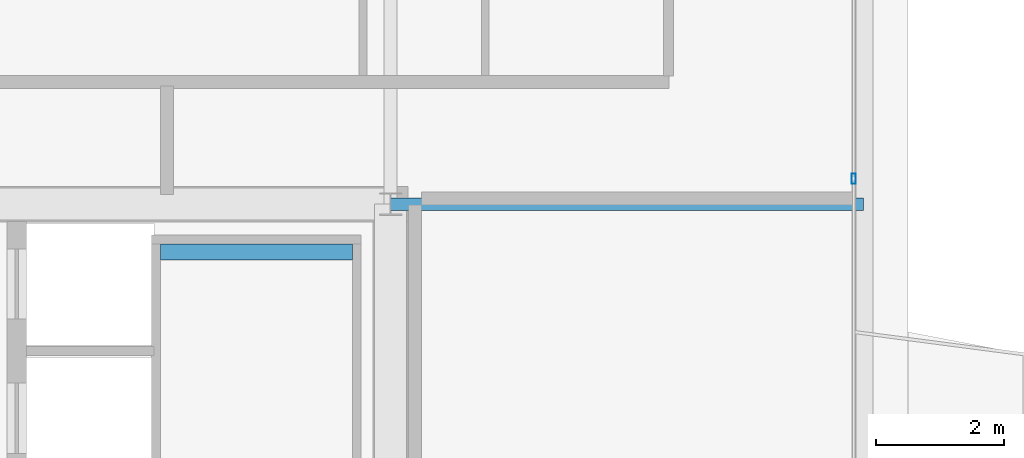
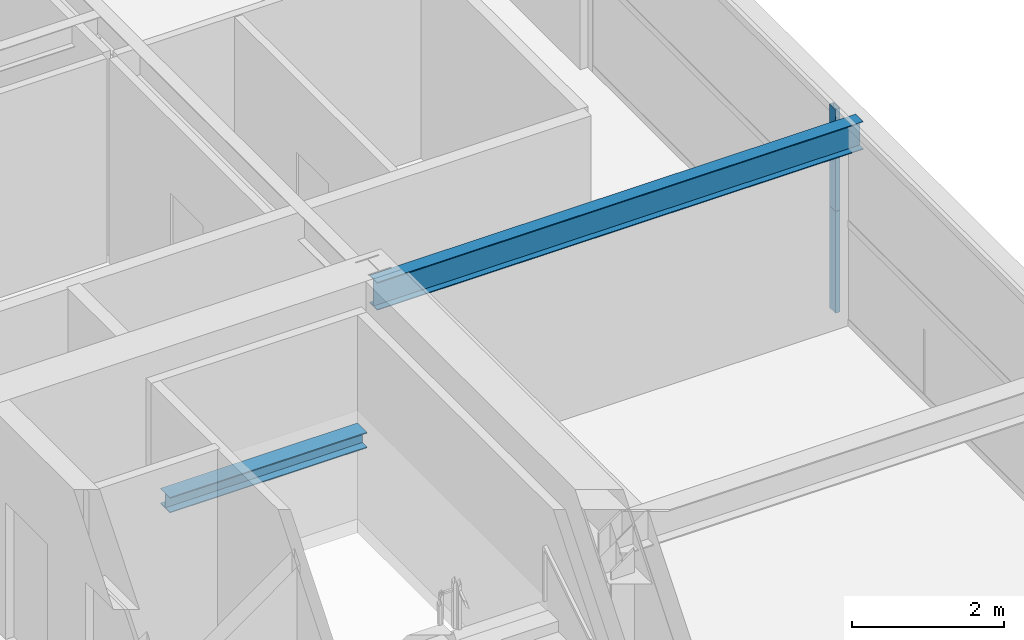
# One storey, part 20 of 37: 2 beams, 2 members, 1 element without a shape of its own.
"""IFC4 building model written with IfcOpenShell, lengths in metres."""

from ifc_helpers import new_model, si_unit, direction, frame, origin, origin_2d, place, context, subcontext, project, spatial, hollow_rectangle, i_section, extrude, source, transform, mapped, material, layer, layer_set, material_profile, profile_set, type_object, element, aggregate, save


model = new_model("IFC4")

# Units and contexts
model_context = context("Model", 3, precision=1e-05, world=origin(), true_north=direction((0.0, 1.0)))
body_context = subcontext(model_context, "Body", "Model", "MODEL_VIEW")
ifc_project = project(units=[si_unit("LENGTHUNIT", "METRE"), si_unit("AREAUNIT", "SQUARE_METRE"), si_unit("VOLUMEUNIT", "CUBIC_METRE"), si_unit("PLANEANGLEUNIT", "RADIAN"), si_unit("MASSUNIT", "GRAM", prefix="KILO"), si_unit("THERMODYNAMICTEMPERATUREUNIT", "KELVIN"), si_unit("POWERUNIT", "WATT")], contexts=[model_context])

# Site, building, storey
site_placement = place(None, origin())
site = spatial("IfcSite", under=ifc_project, at=site_placement, CompositionType="ELEMENT")
building_placement = place(site_placement, origin())
building = spatial("IfcBuilding", under=site, at=building_placement, Name="Yuzanri Waterfront Tower", CompositionType="ELEMENT")
storey_placement = place(building_placement, frame((0.0, 0.0, 278.60009765625)))
storey = spatial("IfcBuildingStorey", under=building, at=storey_placement, Name="L74", CompositionType="ELEMENT", Elevation=278.60009765625)

# Beam
ifc_material_1 = material(Name="Steel Q355B", Category="steel")
ifc_material_profile_1 = material_profile(ifc_material_1, i_section(OverallWidth=0.199951171875, OverallDepth=0.449951171875, WebThickness=0.009033203125, FlangeThickness=0.013916015625, at=origin_2d()), Name="HN 450x200x9x14")
ifc_profile_set_1 = profile_set([ifc_material_profile_1], Name="Steel Q355B")
beam_type_1 = type_object("IfcBeamType", Name="Secondary Floor Beam Q355B HN 450x200", PredefinedType="BEAM", material=ifc_profile_set_1)
shared_shape_1 = source(origin(), body_context, "Body", "SweptSolid", [
    extrude(i_section(OverallWidth=0.199951171875, OverallDepth=0.449951171875, WebThickness=0.009033203125, FlangeThickness=0.013916015625, at=origin_2d()), origin(), (0.0, 0.0, 1.0), 7.400146484375),
])
beam_1_placement = place(storey_placement, frame((50.199951171875, 32.199951171875, 3.054931640625), z_axis=(1.0, 0.0, 0.0), x_axis=(0.0, 1.0, 0.0)))
element("IfcBeam", 1, at=beam_1_placement, inside=storey, type_object=beam_type_1, Name="L74 East-North Core Line Beam", PredefinedType="BEAM", context=body_context, shape_type="MappedRepresentation", body=[
    mapped(shared_shape_1, transform((0.0, 0.0, 0.0), scale=1.0)),
])

# Curtain wall, members
ifc_material_2 = material(Name="Anodized Architectural Bronze", Category="metal")
ifc_layer = layer(ifc_material_2, 0.159912109375)
ifc_layer_set = layer_set([ifc_layer], Name="Anodized Architectural Bronze")
curtain_wall_type = type_object("IfcCurtainWallType", Name="Anodized Bronze Mid-Rise Residential Acoustic Unitized Curtain Wall 7200", PredefinedType="NOTDEFINED", material=ifc_layer_set)
curtain_wall_placement = place(storey_placement, origin())
curtain_wall = element("IfcCurtainWall", 2, at=curtain_wall_placement, inside=storey, type_object=curtain_wall_type, Name="L74 Curtain Wall CW-L74-ER", PredefinedType="NOTDEFINED")
ifc_material_3 = material(Name="Anodized Architectural Bronze", Category="metal")
ifc_material_profile_2 = material_profile(ifc_material_3, hollow_rectangle(XDim=0.06494140625, YDim=0.159912109375, WallThickness=0.00341796875, at=origin_2d()), Name="CWM 65x160")
ifc_profile_set_2 = profile_set([ifc_material_profile_2], Name="Anodized Architectural Bronze")
member_type = type_object("IfcMemberType", Name="Anodized Bronze Upper-Zone Curtain-Wall Mullion 65x160", PredefinedType="MULLION", material=ifc_profile_set_2)
shared_shape_2 = source(origin(), body_context, "Body", "SweptSolid", [
    extrude(hollow_rectangle(XDim=0.06494140625, YDim=0.159912109375, WallThickness=0.00341796875, at=origin_2d()), origin(), (0.0, 0.0, 1.0), 1.637939453125),
])
member_1_placement = place(storey_placement, frame((57.449951171875, 32.60009765625, 0.0), z_axis=(0.0, 0.0, 1.0), x_axis=(1.0, 0.0, 0.0)))
member_1 = element("IfcMember", 3, at=member_1_placement, type_object=member_type, Name="CW-L74-ER Lower Mullion 01", PredefinedType="MULLION", context=body_context, shape_type="MappedRepresentation", body=[
    mapped(shared_shape_2, transform((0.0, 0.0, 0.0), scale=1.0)),
])
member_2_placement = place(storey_placement, frame((57.449951171875, 32.60009765625, 1.641845703125), z_axis=(0.0, 0.0, 1.0), x_axis=(1.0, 0.0, 0.0)))
member_2 = element("IfcMember", 4, at=member_2_placement, type_object=member_type, Name="CW-L74-ER Upper Mullion 01", PredefinedType="MULLION", context=body_context, shape_type="MappedRepresentation", body=[
    mapped(shared_shape_2, transform((0.0, 0.0, 0.0), scale=1.0)),
])
aggregate(curtain_wall, [member_1, member_2])

# Beam
ifc_material_4 = material(Name="Steel Q355B", Category="steel")
ifc_material_profile_3 = material_profile(ifc_material_4, i_section(OverallWidth=0.25, OverallDepth=0.25, WebThickness=0.009033203125, FlangeThickness=0.013916015625, at=origin_2d()), Name="HW 250x250x9x14")
ifc_profile_set_3 = profile_set([ifc_material_profile_3], Name="Steel Q355B")
beam_type_2 = type_object("IfcBeamType", Name="Stair Landing Support Beam Q355B HW 250x250", PredefinedType="BEAM", material=ifc_profile_set_3)
shared_shape_3 = source(origin(), body_context, "Body", "SweptSolid", [
    extrude(i_section(OverallWidth=0.25, OverallDepth=0.25, WebThickness=0.009033203125, FlangeThickness=0.013916015625, at=origin_2d()), origin(), (0.0, 0.0, 1.0), 3.0),
])
beam_2_placement = place(storey_placement, frame((46.60009765625, 31.449951171875, 1.4248046875), z_axis=(1.0, 0.0, 0.0), x_axis=(0.0, 1.0, 0.0)))
element("IfcBeam", 5, at=beam_2_placement, inside=storey, type_object=beam_type_2, Name="L74 Stair Landing Support Beam ST-02-L74-L1-2", PredefinedType="BEAM", context=body_context, shape_type="MappedRepresentation", body=[
    mapped(shared_shape_3, transform((0.0, 0.0, 0.0), scale=1.0)),
])

save(model, "model.ifc")
